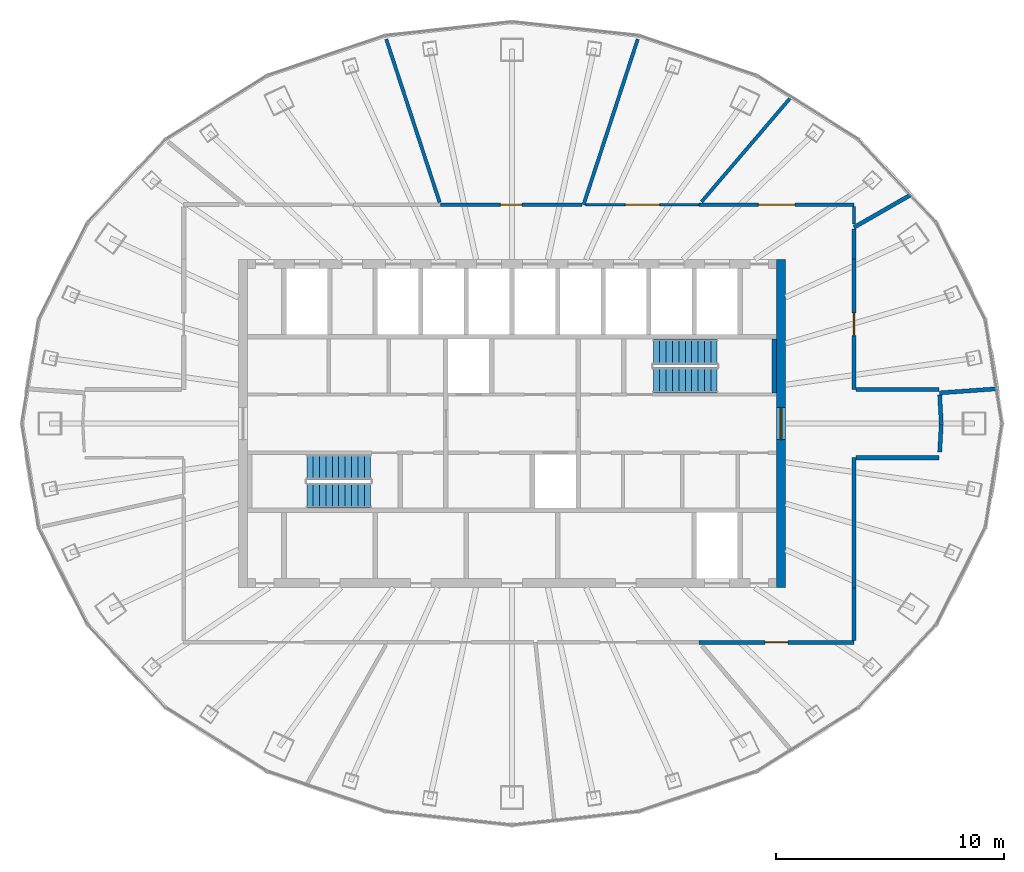
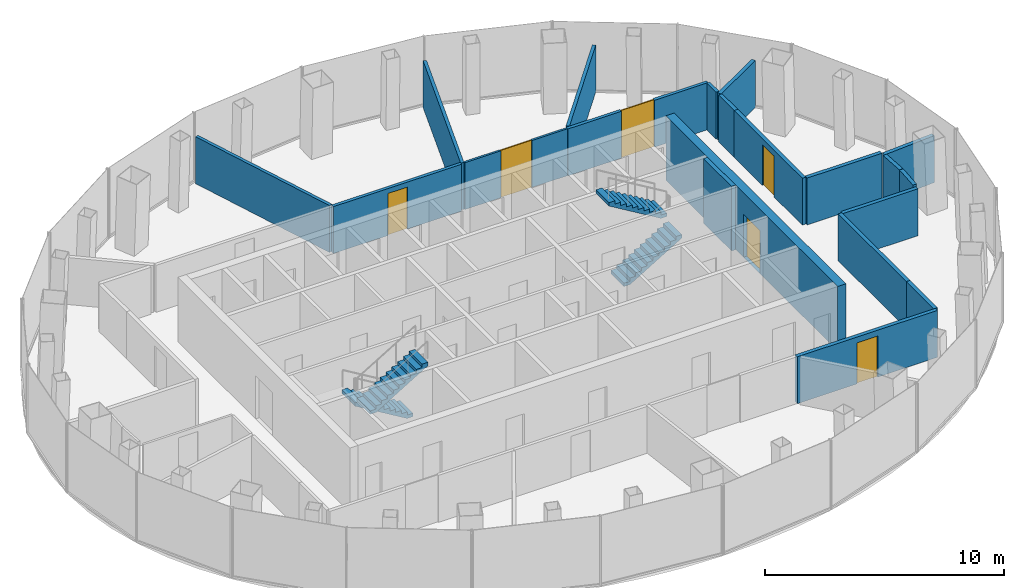
# One storey, part 11 of 12: 20 walls, 6 doors, 4 stair flights, 6 openings, 2 elements without a shape of their own.
"""IFC4 building model written with IfcOpenShell, lengths in metres."""

from ifc_helpers import new_model, si_unit, direction, frame, frame_2d, origin, place, context, subcontext, project, spatial, polyline, rectangle, outline, extrude, material, layer, layer_set, type_object, element, fill, aggregate, save


model = new_model("IFC4")

# Units and contexts
model_context = context("Model", 3, precision=1e-05, world=origin(), true_north=direction((0.0, 1.0)))
body_context = subcontext(model_context, "Body", "Model", "MODEL_VIEW")
ifc_project = project(units=[si_unit("LENGTHUNIT", "METRE"), si_unit("AREAUNIT", "SQUARE_METRE"), si_unit("VOLUMEUNIT", "CUBIC_METRE"), si_unit("PLANEANGLEUNIT", "RADIAN"), si_unit("MASSUNIT", "GRAM", prefix="KILO")], contexts=[model_context])

# Site, building, storey
site_placement = place(None, origin())
site = spatial("IfcSite", under=ifc_project, at=site_placement, CompositionType="ELEMENT")
building_placement = place(site_placement, origin())
building = spatial("IfcBuilding", under=site, at=building_placement, Name="Siaravel Broadcast Tower", CompositionType="ELEMENT")
storey_placement = place(building_placement, frame((0.0, 0.0, 235.60009765625)))
storey = spatial("IfcBuildingStorey", under=building, at=storey_placement, Name="L57", CompositionType="ELEMENT", Elevation=235.60009765625)

# Wall, opening, door
ifc_material_1 = material(Name="Concrete C60/75", Category="concrete")
ifc_layer_1 = layer(ifc_material_1, 0.39990234375)
ifc_layer_set_1 = layer_set([ifc_layer_1], Name="Concrete C60/75")
wall_type_1 = type_object("IfcWallType", Name="Core wall 400", PredefinedType="SHEAR", material=ifc_layer_set_1)
wall_1_placement = place(storey_placement, frame((11.800048828125, -7.199951171875, 0.0), z_axis=(0.0, 0.0, 1.0), x_axis=(0.0, 1.0, 0.0)))
wall_1 = element("IfcWall", 1, at=wall_1_placement, inside=storey, type_object=wall_type_1, Name="L57 core wall OE", PredefinedType="SHEAR", context=body_context, shape_type="SweptSolid", body=[
    extrude(rectangle(XDim=14.39990234375, YDim=0.39990234375, at=frame_2d((7.199951171875, 0.0))), origin(), (0.0, 0.0, 1.0), 3.2998046875),
])
opening_1_placement = place(wall_1_placement, frame((6.5, 0.0, 0.0)))
opening_1 = element("IfcOpeningElement", 2, at=opening_1_placement, cuts=wall_1, Name="Opening L57-DX-E", PredefinedType="OPENING", context=body_context, shape_type="SweptSolid", body=[
    extrude(rectangle(XDim=1.39990234375, YDim=2.199951171875, at=frame_2d((0.699951171875, 1.10009765625))), frame((0.0, 0.2099609375, 0.0), z_axis=(0.0, -1.0, 0.0), x_axis=(1.0, 0.0, 0.0)), (0.0, 0.0, 1.0), 0.419921875),
])
ifc_material_2 = material(Name="Steel", Category="steel")
door_type_1 = type_object("IfcDoorType", Name="Core exit door 1400", OperationType="DOUBLE_DOOR_SINGLE_SWING", PredefinedType="DOOR", material=ifc_material_2)
door_1_placement = place(opening_1_placement, origin())
door_1 = element("IfcDoor", 3, at=door_1_placement, inside=storey, type_object=door_type_1, Name="L57 door DX-E", OperationType="DOUBLE_DOOR_SINGLE_SWING", OverallHeight=2.199951171875, OverallWidth=1.39990234375, PredefinedType="DOOR", context=body_context, shape_type="SweptSolid", body=[
    extrude(rectangle(XDim=1.39990234375, YDim=2.199951171875, at=frame_2d((0.699951171875, 1.10009765625))), frame((0.0, 0.02490234375, 0.0), z_axis=(0.0, -1.0, 0.0), x_axis=(1.0, 0.0, 0.0)), (0.0, 0.0, 1.0), 0.050048828125),
])
fill(opening_1, door_1)

ifc_material_3 = material(Name="Gypsum board partition", Category="gypsum")
ifc_layer_2 = layer(ifc_material_3, 0.14990234375)
ifc_layer_set_2 = layer_set([ifc_layer_2], Name="Gypsum board partition")
wall_type_2 = type_object("IfcWallType", Name="Corridor wall 150", PredefinedType="PARTITIONING", material=ifc_layer_set_2)
wall_2_placement = place(storey_placement, frame((15.0, 9.60009765625, 0.0), z_axis=(0.0, 0.0, 1.0), x_axis=(-1.0, 0.0, 0.0)))
wall_2 = element("IfcWall", 4, at=wall_2_placement, inside=storey, type_object=wall_type_2, Name="L57 partition 9", PredefinedType="PARTITIONING", context=body_context, shape_type="SweptSolid", body=[
    extrude(rectangle(XDim=6.79345703125, YDim=0.14990234375, at=frame_2d((3.396728515625, 0.0))), origin(), (0.0, 0.0, 1.0), 2.39990234375),
])
opening_2_placement = place(wall_2_placement, frame((2.5966796875, 0.0, 0.0)))
opening_2 = element("IfcOpeningElement", 5, at=opening_2_placement, cuts=wall_2, Name="Opening L57-006", PredefinedType="OPENING", context=body_context, shape_type="SweptSolid", body=[
    extrude(rectangle(XDim=1.60009765625, YDim=2.39990234375, at=frame_2d((0.800048828125, 1.199951171875))), frame((0.0, 0.0849609375, 0.0), z_axis=(0.0, -1.0, 0.0), x_axis=(1.0, 0.0, 0.0)), (0.0, 0.0, 1.0), 0.169921875),
])
ifc_material_4 = material(Name="Timber veneer", Category="wood")
door_type_2 = type_object("IfcDoorType", Name="Restaurant double door 1600", OperationType="DOUBLE_DOOR_SINGLE_SWING", PredefinedType="DOOR", material=ifc_material_4)
door_2_placement = place(opening_2_placement, origin())
door_2 = element("IfcDoor", 6, at=door_2_placement, inside=storey, type_object=door_type_2, Name="L57 door to Lounge", OperationType="DOUBLE_DOOR_SINGLE_SWING", OverallHeight=2.39990234375, OverallWidth=1.60009765625, PredefinedType="DOOR", context=body_context, shape_type="SweptSolid", body=[
    extrude(rectangle(XDim=1.60009765625, YDim=2.39990234375, at=frame_2d((0.800048828125, 1.199951171875))), frame((0.0, 0.02490234375, 0.0), z_axis=(0.0, -1.0, 0.0), x_axis=(1.0, 0.0, 0.0)), (0.0, 0.0, 1.0), 0.050048828125),
])
fill(opening_2, door_2)

wall_3_placement = place(storey_placement, frame((3.067138671875, 9.60009765625, 0.0), z_axis=(0.0, 0.0, 1.0), x_axis=(-1.0, 0.0, 0.0)))
wall_3 = element("IfcWall", 7, at=wall_3_placement, inside=storey, type_object=wall_type_2, Name="L57 partition 12", PredefinedType="PARTITIONING", context=body_context, shape_type="SweptSolid", body=[
    extrude(rectangle(XDim=6.20654296875, YDim=0.14990234375, at=frame_2d((3.103271484375, 0.0))), origin(), (0.0, 0.0, 1.0), 2.39990234375),
])
opening_3_placement = place(wall_3_placement, frame((2.628173828125, 0.0, 0.0)))
opening_3 = element("IfcOpeningElement", 8, at=opening_3_placement, cuts=wall_3, Name="Opening L57-008", PredefinedType="OPENING", context=body_context, shape_type="SweptSolid", body=[
    extrude(rectangle(XDim=0.949951171875, YDim=2.14990234375, at=frame_2d((0.47509765625, 1.074951171875))), frame((0.0, 0.0849609375, 0.0), z_axis=(0.0, -1.0, 0.0), x_axis=(1.0, 0.0, 0.0)), (0.0, 0.0, 1.0), 0.169921875),
])
door_type_3 = type_object("IfcDoorType", Name="Office door 950", OperationType="SINGLE_SWING_LEFT", PredefinedType="DOOR", material=ifc_material_4)
door_3_placement = place(opening_3_placement, origin())
door_3 = element("IfcDoor", 9, at=door_3_placement, inside=storey, type_object=door_type_3, Name="L57 door to Reception", OperationType="SINGLE_SWING_RIGHT", OverallHeight=2.14990234375, OverallWidth=0.949951171875, PredefinedType="DOOR", context=body_context, shape_type="SweptSolid", body=[
    extrude(rectangle(XDim=0.949951171875, YDim=2.14990234375, at=frame_2d((0.47509765625, 1.074951171875))), frame((0.0, 0.02490234375, 0.0), z_axis=(0.0, -1.0, 0.0), x_axis=(1.0, 0.0, 0.0)), (0.0, 0.0, 1.0), 0.050048828125),
])
fill(opening_3, door_3)

# Wall
wall_4_placement = place(storey_placement, frame((15.0, 8.752197265625, 0.0), z_axis=(0.0, 0.0, 1.0), x_axis=(0.0, 1.0, 0.0)))
element("IfcWall", 10, at=wall_4_placement, inside=storey, type_object=wall_type_2, Name="L57 partition 38", PredefinedType="PARTITIONING", context=body_context, shape_type="SweptSolid", body=[
    extrude(rectangle(XDim=0.770751953125, YDim=0.14990234375, at=frame_2d((0.38525390625, 0.0))), origin(), (0.0, 0.0, 1.0), 2.39990234375),
])

# Wall, opening, door
ifc_material_5 = material(Name="Glazed aluminium partition", Category="aluminium")
ifc_layer_3 = layer(ifc_material_5, 0.10009765625)
ifc_layer_set_3 = layer_set([ifc_layer_3], Name="Glazed aluminium partition")
wall_type_3 = type_object("IfcWallType", Name="Glazed meeting room partition 100", PredefinedType="PARTITIONING", material=ifc_layer_set_3)
wall_5_placement = place(storey_placement, frame((8.20556640625, 9.60009765625, 0.0), z_axis=(0.0, 0.0, 1.0), x_axis=(-1.0, 0.0, 0.0)))
wall_5 = element("IfcWall", 11, at=wall_5_placement, inside=storey, type_object=wall_type_3, Name="L57 partition 18", PredefinedType="PARTITIONING", context=body_context, shape_type="SweptSolid", body=[
    extrude(rectangle(XDim=4.968017578125, YDim=0.10009765625, at=frame_2d((2.48388671875, 0.0))), origin(), (0.0, 0.0, 1.0), 2.39990234375),
])
opening_4_placement = place(wall_5_placement, frame((1.73388671875, 0.0, 0.0)))
opening_4 = element("IfcOpeningElement", 12, at=opening_4_placement, cuts=wall_5, Name="Opening L57-007", PredefinedType="OPENING", context=body_context, shape_type="SweptSolid", body=[
    extrude(rectangle(XDim=1.5, YDim=2.39990234375, at=frame_2d((0.75, 1.199951171875))), frame((0.0, 0.06005859375, 0.0), z_axis=(0.0, -1.0, 0.0), x_axis=(1.0, 0.0, 0.0)), (0.0, 0.0, 1.0), 0.1201171875),
])
door_type_4 = type_object("IfcDoorType", Name="Conference double door 1500", OperationType="DOUBLE_DOOR_SINGLE_SWING", PredefinedType="DOOR", material=ifc_material_4)
door_4_placement = place(opening_4_placement, origin())
door_4 = element("IfcDoor", 13, at=door_4_placement, inside=storey, type_object=door_type_4, Name="L57 door to Boardroom", OperationType="DOUBLE_DOOR_SINGLE_SWING", OverallHeight=2.39990234375, OverallWidth=1.5, PredefinedType="DOOR", context=body_context, shape_type="SweptSolid", body=[
    extrude(rectangle(XDim=1.5, YDim=2.39990234375, at=frame_2d((0.75, 1.199951171875))), frame((0.0, 0.02490234375, 0.0), z_axis=(0.0, -1.0, 0.0), x_axis=(1.0, 0.0, 0.0)), (0.0, 0.0, 1.0), 0.050048828125),
])
fill(opening_4, door_4)

# Walls
ifc_layer_4 = layer(ifc_material_3, 0.14990234375)
ifc_layer_set_4 = layer_set([ifc_layer_4], Name="Gypsum board partition")
wall_type_4 = type_object("IfcWallType", Name="Room partition 150", PredefinedType="PARTITIONING", material=ifc_layer_set_4)
wall_6_placement = place(storey_placement, frame((-5.5146484375, 16.85791015625, 0.0), z_axis=(0.0, 0.0, 1.0), x_axis=(0.310922463, -0.95043528, 0.0)))
element("IfcWall", 14, at=wall_6_placement, inside=storey, type_object=wall_type_4, Name="L57 partition 4", PredefinedType="PARTITIONING", context=body_context, shape_type="SweptSolid", body=[
    extrude(rectangle(XDim=7.531005859375, YDim=0.14990234375, at=frame_2d((3.765625, 0.0))), origin(), (0.0, 0.0, 1.0), 2.39990234375),
])
wall_7_placement = place(storey_placement, frame((5.5146484375, 16.85791015625, 0.0), z_axis=(0.0, 0.0, 1.0), x_axis=(-0.31091882, -0.950436472, 0.0)))
element("IfcWall", 15, at=wall_7_placement, inside=storey, type_object=wall_type_4, Name="L57 partition 5", PredefinedType="PARTITIONING", context=body_context, shape_type="SweptSolid", body=[
    extrude(rectangle(XDim=7.63623046875, YDim=0.14990234375, at=frame_2d((3.818115234375, 0.0))), origin(), (0.0, 0.0, 1.0), 2.39990234375),
])
wall_8_placement = place(storey_placement, frame((12.224365234375, 14.30029296875, 0.0), z_axis=(0.0, 0.0, 1.0), x_axis=(-0.649785307, -0.76011779, 0.0)))
element("IfcWall", 16, at=wall_8_placement, inside=storey, type_object=wall_type_4, Name="L57 partition 14", PredefinedType="PARTITIONING", context=body_context, shape_type="SweptSolid", body=[
    extrude(rectangle(XDim=6.018798828125, YDim=0.14990234375, at=frame_2d((3.00927734375, 0.0))), origin(), (0.0, 0.0, 1.0), 2.39990234375),
])

# Wall, opening, door
ifc_material_6 = material(Name="Concrete blockwork", Category="masonry")
ifc_layer_5 = layer(ifc_material_6, 0.179931640625)
ifc_layer_set_5 = layer_set([ifc_layer_5], Name="Concrete blockwork")
wall_type_5 = type_object("IfcWallType", Name="Service room fire partition 180", PredefinedType="PARTITIONING", material=ifc_layer_set_5)
wall_9_placement = place(storey_placement, frame((8.20654296875, -9.60009765625, 0.0), z_axis=(0.0, 0.0, 1.0), x_axis=(1.0, 0.0, 0.0)))
wall_9 = element("IfcWall", 17, at=wall_9_placement, inside=storey, type_object=wall_type_5, Name="L57 partition 8", PredefinedType="PARTITIONING", context=body_context, shape_type="SweptSolid", body=[
    extrude(rectangle(XDim=6.79345703125, YDim=0.179931640625, at=frame_2d((3.396728515625, 0.0))), origin(), (0.0, 0.0, 1.0), 2.39990234375),
])
opening_5_placement = place(wall_9_placement, frame((2.896728515625, 0.0, 0.0)))
opening_5 = element("IfcOpeningElement", 18, at=opening_5_placement, cuts=wall_9, Name="Opening L57-004", PredefinedType="OPENING", context=body_context, shape_type="SweptSolid", body=[
    extrude(rectangle(XDim=1.0, YDim=2.10009765625, at=frame_2d((0.5, 1.050048828125))), frame((0.0, 0.099853515625, 0.0), z_axis=(0.0, -1.0, 0.0), x_axis=(1.0, 0.0, 0.0)), (0.0, 0.0, 1.0), 0.199951171875),
])
door_type_5 = type_object("IfcDoorType", Name="Service room door 1000", OperationType="SINGLE_SWING_LEFT", PredefinedType="DOOR", material=ifc_material_2)
door_5_placement = place(opening_5_placement, origin())
door_5 = element("IfcDoor", 19, at=door_5_placement, inside=storey, type_object=door_type_5, Name="L57 door to Library", OperationType="SINGLE_SWING_RIGHT", OverallHeight=2.10009765625, OverallWidth=1.0, PredefinedType="DOOR", context=body_context, shape_type="SweptSolid", body=[
    extrude(rectangle(XDim=1.0, YDim=2.10009765625, at=frame_2d((0.5, 1.050048828125))), frame((0.0, 0.02490234375, 0.0), z_axis=(0.0, -1.0, 0.0), x_axis=(1.0, 0.0, 0.0)), (0.0, 0.0, 1.0), 0.050048828125),
])
fill(opening_5, door_5)

# Wall
wall_10_placement = place(storey_placement, frame((15.0, -7.2119140625, 0.0), z_axis=(0.0, 0.0, 1.0), x_axis=(0.0, 1.0, 0.0)))
element("IfcWall", 20, at=wall_10_placement, inside=storey, type_object=wall_type_5, Name="L57 partition 16", PredefinedType="PARTITIONING", context=body_context, shape_type="SweptSolid", body=[
    extrude(rectangle(XDim=5.7119140625, YDim=0.179931640625, at=frame_2d((2.85595703125, 0.0))), origin(), (0.0, 0.0, 1.0), 2.39990234375),
])

# Wall, opening, door
wall_11_placement = place(storey_placement, frame((15.0, 1.5, 0.0), z_axis=(0.0, 0.0, 1.0), x_axis=(0.0, 1.0, 0.0)))
wall_11 = element("IfcWall", 21, at=wall_11_placement, inside=storey, type_object=wall_type_5, Name="L57 partition 17", PredefinedType="PARTITIONING", context=body_context, shape_type="SweptSolid", body=[
    extrude(rectangle(XDim=5.7119140625, YDim=0.179931640625, at=frame_2d((2.85595703125, 0.0))), origin(), (0.0, 0.0, 1.0), 2.39990234375),
])
opening_6_placement = place(wall_11_placement, frame((2.35595703125, 0.0, 0.0)))
opening_6 = element("IfcOpeningElement", 22, at=opening_6_placement, cuts=wall_11, Name="Opening L57-005", PredefinedType="OPENING", context=body_context, shape_type="SweptSolid", body=[
    extrude(rectangle(XDim=1.0, YDim=2.10009765625, at=frame_2d((0.5, 1.050048828125))), frame((0.0, 0.099853515625, 0.0), z_axis=(0.0, -1.0, 0.0), x_axis=(1.0, 0.0, 0.0)), (0.0, 0.0, 1.0), 0.199951171875),
])
door_6_placement = place(opening_6_placement, origin())
door_6 = element("IfcDoor", 23, at=door_6_placement, inside=storey, type_object=door_type_5, Name="L57 door to Library", OperationType="SINGLE_SWING_LEFT", OverallHeight=2.10009765625, OverallWidth=1.0, PredefinedType="DOOR", context=body_context, shape_type="SweptSolid", body=[
    extrude(rectangle(XDim=1.0, YDim=2.10009765625, at=frame_2d((0.5, 1.050048828125))), frame((0.0, 0.02490234375, 0.0), z_axis=(0.0, -1.0, 0.0), x_axis=(1.0, 0.0, 0.0)), (0.0, 0.0, 1.0), 0.050048828125),
])
fill(opening_6, door_6)

# Walls
for number, where, z_axis, x_axis, name in (
    (24, (15.092041015625, -1.5, 0.0), (0.0, 0.0, 1.0), (1.0, 0.0, 0.0), "L57 partition 23"),
    (25, (18.721923828125, 1.5, 0.0), (0.0, 0.0, 1.0), (-1.0, 0.0, 0.0), "L57 partition 24"),
):
    element("IfcWall", number, at=place(storey_placement, frame(where, z_axis=z_axis, x_axis=x_axis)), inside=storey, type_object=wall_type_5, Name=name, PredefinedType="PARTITIONING", context=body_context, shape_type="SweptSolid", body=[
        extrude(rectangle(XDim=3.6298828125, YDim=0.179931640625, at=frame_2d((1.81494140625, 0.0))), origin(), (0.0, 0.0, 1.0), 2.39990234375),
    ])
wall_12_placement = place(storey_placement, frame((17.465576171875, 10.017333984375, 0.0), z_axis=(0.0, 0.0, 1.0), x_axis=(-0.867459752, -0.497507365, 0.0)))
element("IfcWall", 26, at=wall_12_placement, inside=storey, type_object=wall_type_5, Name="L57 partition 25", PredefinedType="PARTITIONING", context=body_context, shape_type="SweptSolid", body=[
    extrude(rectangle(XDim=2.84228515625, YDim=0.179931640625, at=frame_2d((1.421142578125, 0.0))), origin(), (0.0, 0.0, 1.0), 2.39990234375),
])
wall_13_placement = place(storey_placement, frame((21.250244140625, 1.52294921875, 0.0), z_axis=(0.0, 0.0, 1.0), x_axis=(-0.997440396, -0.071502847, 0.0)))
element("IfcWall", 27, at=wall_13_placement, inside=storey, type_object=wall_type_5, Name="L57 partition 27", PredefinedType="PARTITIONING", context=body_context, shape_type="SweptSolid", body=[
    extrude(rectangle(XDim=2.509521484375, YDim=0.179931640625, at=frame_2d((1.2548828125, 0.0))), origin(), (0.0, 0.0, 1.0), 2.39990234375),
])
wall_14_placement = place(storey_placement, frame((15.0, -9.508056640625, 0.0), z_axis=(0.0, 0.0, 1.0), x_axis=(0.0, 1.0, 0.0)))
element("IfcWall", 28, at=wall_14_placement, inside=storey, type_object=wall_type_5, Name="L57 partition 31", PredefinedType="PARTITIONING", context=body_context, shape_type="SweptSolid", body=[
    extrude(rectangle(XDim=2.295166015625, YDim=0.179931640625, at=frame_2d((1.1474609375, 0.0))), origin(), (0.0, 0.0, 1.0), 2.39990234375),
])
wall_15_placement = place(storey_placement, frame((15.0, 7.212890625, 0.0), z_axis=(0.0, 0.0, 1.0), x_axis=(0.0, 1.0, 0.0)))
element("IfcWall", 29, at=wall_15_placement, inside=storey, type_object=wall_type_5, Name="L57 partition 33", PredefinedType="PARTITIONING", context=body_context, shape_type="SweptSolid", body=[
    extrude(rectangle(XDim=1.310302734375, YDim=0.179931640625, at=frame_2d((0.6552734375, 0.0))), origin(), (0.0, 0.0, 1.0), 2.39990234375),
])
wall_16_placement = place(storey_placement, frame((18.828369140625, 0.0, 0.0), z_axis=(0.0, 0.0, 1.0), x_axis=(-0.053151512, 0.998586459, 0.0)))
element("IfcWall", 30, at=wall_16_placement, inside=storey, type_object=wall_type_5, Name="L57 partition 35", PredefinedType="PARTITIONING", context=body_context, shape_type="SweptSolid", body=[
    extrude(rectangle(XDim=1.25390625, YDim=0.179931640625, at=frame_2d((0.626953125, 0.0))), origin(), (0.0, 0.0, 1.0), 2.39990234375),
])
wall_17_placement = place(storey_placement, frame((18.76171875, -1.253173828125, 0.0), z_axis=(0.0, 0.0, 1.0), x_axis=(0.053218479, 0.998582893, 0.0)))
element("IfcWall", 31, at=wall_17_placement, inside=storey, type_object=wall_type_5, Name="L57 partition 37", PredefinedType="PARTITIONING", context=body_context, shape_type="SweptSolid", body=[
    extrude(rectangle(XDim=1.2431640625, YDim=0.179931640625, at=frame_2d((0.62158203125, 0.0))), origin(), (0.0, 0.0, 1.0), 2.39990234375),
])
ifc_layer_6 = layer(ifc_material_1, 0.199951171875)
ifc_layer_set_6 = layer_set([ifc_layer_6], Name="Concrete C60/75")
wall_type_6 = type_object("IfcWallType", Name="Shaft wall 200", PredefinedType="SHEAR", material=ifc_layer_set_6)
wall_18_placement = place(storey_placement, frame((11.5, 1.35009765625, 0.0), z_axis=(0.0, 0.0, 1.0), x_axis=(0.0, 1.0, 0.0)))
element("IfcWall", 32, at=wall_18_placement, inside=storey, type_object=wall_type_6, Name="L57 core wall ST2E", PredefinedType="SHEAR", context=body_context, shape_type="SweptSolid", body=[
    extrude(rectangle(XDim=2.349853515625, YDim=0.199951171875, at=frame_2d((1.1748046875, 0.0))), origin(), (0.0, 0.0, 1.0), 3.2998046875),
])

# Stair, stair flights
ifc_material_7 = material(Name="Concrete C40/50", Category="concrete")
stair_type = type_object("IfcStairType", Name="Core exit stair", PredefinedType="HALF_TURN_STAIR", material=ifc_material_7)
stair_1_placement = place(storey_placement, origin())
stair_1 = element("IfcStair", 33, at=stair_1_placement, inside=storey, type_object=stair_type, Name="L57 Exit stair ST-1", PredefinedType="HALF_TURN_STAIR")
stair_flight_type = type_object("IfcStairFlightType", Name="Stair flight 1100", PredefinedType="STRAIGHT", material=ifc_material_7)
stair_flight_1_placement = place(storey_placement, frame((-6.199951171875, -1.89990234375, 0.0), z_axis=(0.0, 0.0, 1.0), x_axis=(-1.0, 0.0, 0.0)))
stair_flight_1 = element("IfcStairFlight", 34, at=stair_flight_1_placement, type_object=stair_flight_type, Name="ST-1 flight 1", NumberOfRisers=11, NumberOfTreads=10, PredefinedType="STRAIGHT", RiserHeight=0.1681818, TreadLength=0.28, context=body_context, shape_type="SweptSolid", body=[
    extrude(outline(polyline([(0.0, 0.0), (0.0, 0.168212890625), (0.280029296875, 0.168212890625), (0.280029296875, 0.33642578125), (0.56005859375, 0.33642578125), (0.56005859375, 0.504638671875), (0.840087890625, 0.504638671875), (0.840087890625, 0.672607421875), (1.1201171875, 0.672607421875), (1.1201171875, 0.8408203125), (1.39990234375, 0.8408203125), (1.39990234375, 1.009033203125), (1.679931640625, 1.009033203125), (1.679931640625, 1.17724609375), (1.9599609375, 1.17724609375), (1.9599609375, 1.345458984375), (2.239990234375, 1.345458984375), (2.239990234375, 1.513671875), (2.52001953125, 1.513671875), (2.52001953125, 1.681884765625), (2.800048828125, 1.681884765625), (2.800048828125, 1.85009765625), (2.800048828125, 1.5068359375), (0.291015625, 0.0), (0.0, 0.0)])), frame((0.0, 0.550048828125, 0.0), z_axis=(0.0, -1.0, 0.0), x_axis=(1.0, 0.0, 0.0)), (0.0, 0.0, 1.0), 1.10009765625),
])
stair_flight_2_placement = place(storey_placement, frame((-9.0, -3.14990234375, 1.849853515625), z_axis=(0.0, 0.0, 1.0), x_axis=(1.0, 0.0, 0.0)))
stair_flight_2 = element("IfcStairFlight", 35, at=stair_flight_2_placement, type_object=stair_flight_type, Name="ST-1 flight 2", NumberOfRisers=11, NumberOfTreads=10, PredefinedType="STRAIGHT", RiserHeight=0.1681818, TreadLength=0.28, context=body_context, shape_type="SweptSolid", body=[
    extrude(outline(polyline([(0.0, 0.0), (0.0, 0.168212890625), (0.280029296875, 0.168212890625), (0.280029296875, 0.33642578125), (0.56005859375, 0.33642578125), (0.56005859375, 0.504638671875), (0.840087890625, 0.504638671875), (0.840087890625, 0.672607421875), (1.1201171875, 0.672607421875), (1.1201171875, 0.8408203125), (1.39990234375, 0.8408203125), (1.39990234375, 1.009033203125), (1.679931640625, 1.009033203125), (1.679931640625, 1.17724609375), (1.9599609375, 1.17724609375), (1.9599609375, 1.345458984375), (2.239990234375, 1.345458984375), (2.239990234375, 1.513671875), (2.52001953125, 1.513671875), (2.52001953125, 1.681884765625), (2.800048828125, 1.681884765625), (2.800048828125, 1.85009765625), (2.800048828125, 1.5068359375), (0.291015625, 0.0), (0.0, 0.0)])), frame((0.0, 0.550048828125, 0.0), z_axis=(0.0, -1.0, 0.0), x_axis=(1.0, 0.0, 0.0)), (0.0, 0.0, 1.0), 1.10009765625),
])
aggregate(stair_1, [stair_flight_1, stair_flight_2])

stair_2_placement = place(storey_placement, origin())
stair_2 = element("IfcStair", 36, at=stair_2_placement, inside=storey, type_object=stair_type, Name="L57 Exit stair ST-2", PredefinedType="HALF_TURN_STAIR")
stair_flight_3_placement = place(storey_placement, frame((6.199951171875, 1.89990234375, 0.0), z_axis=(0.0, 0.0, 1.0), x_axis=(1.0, 0.0, 0.0)))
stair_flight_3 = element("IfcStairFlight", 37, at=stair_flight_3_placement, type_object=stair_flight_type, Name="ST-2 flight 1", NumberOfRisers=11, NumberOfTreads=10, PredefinedType="STRAIGHT", RiserHeight=0.1681818, TreadLength=0.28, context=body_context, shape_type="SweptSolid", body=[
    extrude(outline(polyline([(0.0, 0.0), (0.0, 0.168212890625), (0.280029296875, 0.168212890625), (0.280029296875, 0.33642578125), (0.56005859375, 0.33642578125), (0.56005859375, 0.504638671875), (0.840087890625, 0.504638671875), (0.840087890625, 0.672607421875), (1.1201171875, 0.672607421875), (1.1201171875, 0.8408203125), (1.39990234375, 0.8408203125), (1.39990234375, 1.009033203125), (1.679931640625, 1.009033203125), (1.679931640625, 1.17724609375), (1.9599609375, 1.17724609375), (1.9599609375, 1.345458984375), (2.239990234375, 1.345458984375), (2.239990234375, 1.513671875), (2.52001953125, 1.513671875), (2.52001953125, 1.681884765625), (2.800048828125, 1.681884765625), (2.800048828125, 1.85009765625), (2.800048828125, 1.5068359375), (0.291015625, 0.0), (0.0, 0.0)])), frame((0.0, 0.550048828125, 0.0), z_axis=(0.0, -1.0, 0.0), x_axis=(1.0, 0.0, 0.0)), (0.0, 0.0, 1.0), 1.10009765625),
])
stair_flight_4_placement = place(storey_placement, frame((9.0, 3.14990234375, 1.849853515625), z_axis=(0.0, 0.0, 1.0), x_axis=(-1.0, 0.0, 0.0)))
stair_flight_4 = element("IfcStairFlight", 38, at=stair_flight_4_placement, type_object=stair_flight_type, Name="ST-2 flight 2", NumberOfRisers=11, NumberOfTreads=10, PredefinedType="STRAIGHT", RiserHeight=0.1681818, TreadLength=0.28, context=body_context, shape_type="SweptSolid", body=[
    extrude(outline(polyline([(0.0, 0.0), (0.0, 0.168212890625), (0.280029296875, 0.168212890625), (0.280029296875, 0.33642578125), (0.56005859375, 0.33642578125), (0.56005859375, 0.504638671875), (0.840087890625, 0.504638671875), (0.840087890625, 0.672607421875), (1.1201171875, 0.672607421875), (1.1201171875, 0.8408203125), (1.39990234375, 0.8408203125), (1.39990234375, 1.009033203125), (1.679931640625, 1.009033203125), (1.679931640625, 1.17724609375), (1.9599609375, 1.17724609375), (1.9599609375, 1.345458984375), (2.239990234375, 1.345458984375), (2.239990234375, 1.513671875), (2.52001953125, 1.513671875), (2.52001953125, 1.681884765625), (2.800048828125, 1.681884765625), (2.800048828125, 1.85009765625), (2.800048828125, 1.5068359375), (0.291015625, 0.0), (0.0, 0.0)])), frame((0.0, 0.550048828125, 0.0), z_axis=(0.0, -1.0, 0.0), x_axis=(1.0, 0.0, 0.0)), (0.0, 0.0, 1.0), 1.10009765625),
])
aggregate(stair_2, [stair_flight_3, stair_flight_4])

save(model, "model.ifc")
